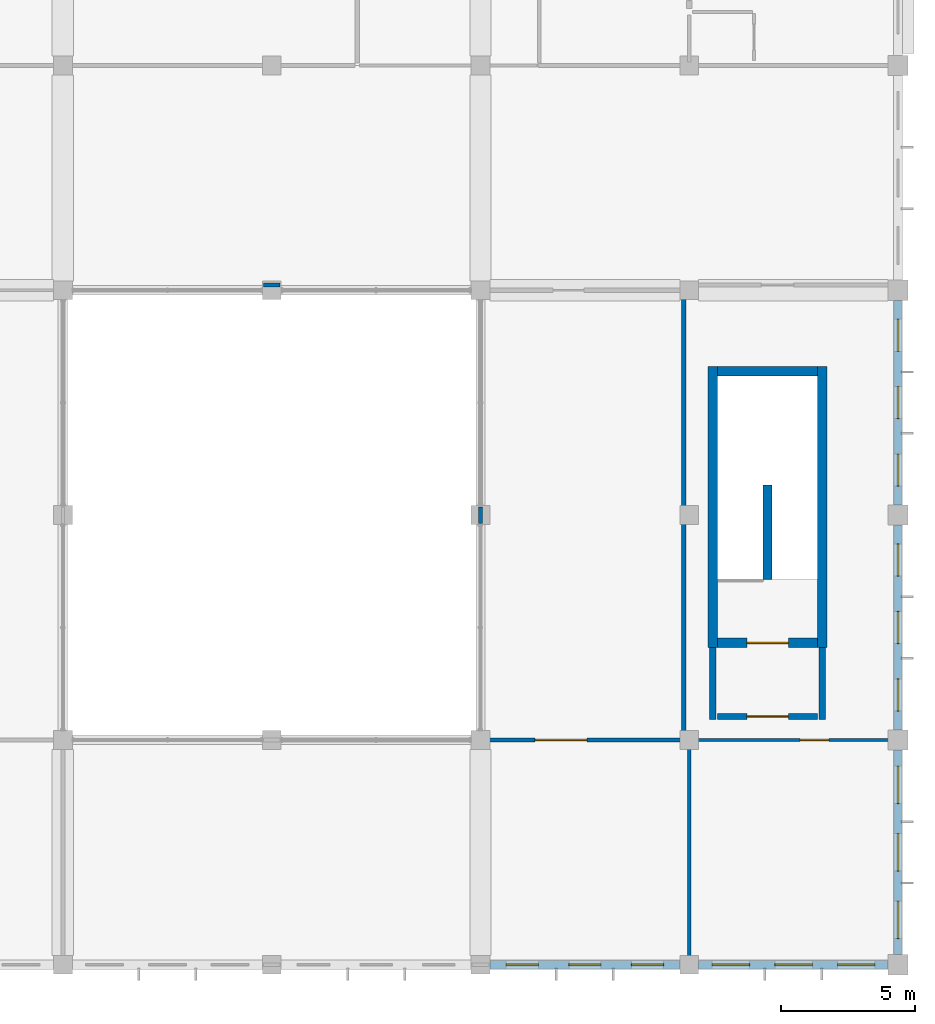
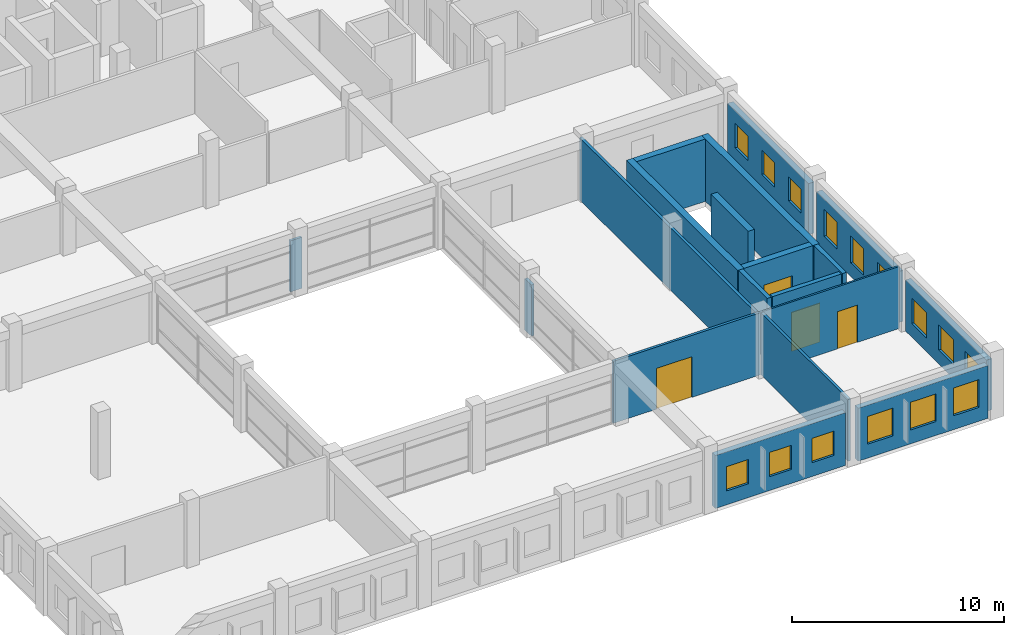
# One storey, part 52 of 72: 19 walls, 15 windows, 4 doors, 19 openings.
"""IFC4 building model written with IfcOpenShell, lengths in metres."""

from ifc_helpers import new_model, si_unit, direction, frame, frame_2d, origin, place, context, subcontext, project, spatial, rectangle, extrude, material, layer, layer_set, type_object, element, fill, save


model = new_model("IFC4")

# Units and contexts
model_context = context("Model", 3, precision=1e-05, world=origin(), true_north=direction((0.0, 1.0)))
body_context = subcontext(model_context, "Body", "Model", "MODEL_VIEW")
ifc_project = project(units=[si_unit("LENGTHUNIT", "METRE"), si_unit("AREAUNIT", "SQUARE_METRE"), si_unit("VOLUMEUNIT", "CUBIC_METRE"), si_unit("PLANEANGLEUNIT", "RADIAN"), si_unit("MASSUNIT", "GRAM", prefix="KILO"), si_unit("THERMODYNAMICTEMPERATUREUNIT", "KELVIN"), si_unit("POWERUNIT", "WATT")], contexts=[model_context])

# Site, building, storey
site_placement = place(None, origin())
site = spatial("IfcSite", under=ifc_project, at=site_placement, CompositionType="ELEMENT")
building_placement = place(site_placement, origin())
building = spatial("IfcBuilding", under=site, at=building_placement, Name="Srebrne Nadtorze General Hospital", CompositionType="ELEMENT")
storey_placement = place(building_placement, frame((0.0, 0.0, 22.199951171875)))
storey = spatial("IfcBuildingStorey", under=building, at=storey_placement, Name="L05", CompositionType="ELEMENT", Elevation=22.199951171875)

# Wall, opening, door
ifc_material_1 = material(Name="Gypsum Healthcare Partition")
ifc_layer_1 = layer(ifc_material_1, 0.139892578125)
ifc_layer_set_1 = layer_set([ifc_layer_1], Name="Gypsum Healthcare Partition")
wall_type_1 = type_object("IfcWallType", Name="Clinical partition 140", PredefinedType="PARTITIONING", material=ifc_layer_set_1)
wall_1_placement = place(storey_placement, frame((132.2900390625, 8.39990234375, 0.0), z_axis=(0.0, 0.0, 1.0), x_axis=(1.0, 0.0, 0.0)))
wall_1 = element("IfcWall", 1, at=wall_1_placement, inside=storey, type_object=wall_type_1, Name="Outpatient Gastroenterology Clinic wall WL-INT-L05-2160", PredefinedType="PARTITIONING", context=body_context, shape_type="SweptSolid", body=[
    extrude(rectangle(XDim=8.02490234375, YDim=0.139892578125, at=frame_2d((4.012451171875, 0.0))), origin(), (0.0, 0.0, 1.0), 3.580078125),
])
opening_1_placement = place(wall_1_placement, frame((2.340576171875, 0.0, 0.0)))
opening_1 = element("IfcOpeningElement", 2, at=opening_1_placement, cuts=wall_1, Name="Opening D-L05-0463", PredefinedType="OPENING", context=body_context, shape_type="SweptSolid", body=[
    extrude(rectangle(XDim=1.949951171875, YDim=2.35009765625, at=frame_2d((0.97509765625, 1.175048828125))), frame((0.0, 0.08203125, 0.0), z_axis=(0.0, -1.0, 0.0), x_axis=(1.0, 0.0, 0.0)), (0.0, 0.0, 1.0), 0.163818359375),
])
ifc_material_2 = material(Name="Anodised Aluminium", Category="aluminium")
door_type_1 = type_object("IfcDoorType", Name="Double leaf door 1950x2350", OperationType="DOUBLE_DOOR_SINGLE_SWING", PredefinedType="DOOR", material=ifc_material_2)
door_1_placement = place(opening_1_placement, frame((1.949951171875, 0.0, 0.0), z_axis=(0.0, 0.0, 1.0), x_axis=(-1.0, 0.0, 0.0)))
door_1 = element("IfcDoor", 3, at=door_1_placement, inside=storey, type_object=door_type_1, Name="Outpatient Gastroenterology Clinic door D-L05-0463", OperationType="DOUBLE_DOOR_SINGLE_SWING", OverallHeight=2.35009765625, OverallWidth=1.949951171875, PredefinedType="DOOR", context=body_context, shape_type="SweptSolid", body=[
    extrude(rectangle(XDim=1.949951171875, YDim=2.35009765625, at=frame_2d((0.97509765625, 1.175048828125))), frame((0.0, 0.02490234375, 0.0), z_axis=(0.0, -1.0, 0.0), x_axis=(1.0, 0.0, 0.0)), (0.0, 0.0, 1.0), 0.050048828125),
])
fill(opening_1, door_1)

# Walls
wall_2_placement = place(storey_placement, frame((140.39990234375, 0.0849609375, 0.0), z_axis=(0.0, 0.0, 1.0), x_axis=(0.0, 1.0, 0.0)))
element("IfcWall", 4, at=wall_2_placement, inside=storey, type_object=wall_type_1, Name="Outpatient Gastroenterology Clinic wall WL-INT-L05-2163", PredefinedType="PARTITIONING", context=body_context, shape_type="SweptSolid", body=[
    extrude(rectangle(XDim=8.22998046875, YDim=0.139892578125, at=frame_2d((4.114990234375, 0.0))), origin(), (0.0, 0.0, 1.0), 3.580078125),
])
wall_3_placement = place(storey_placement, frame((124.489990234375, 25.39990234375, 0.0), z_axis=(0.0, 0.0, 1.0), x_axis=(1.0, 0.0, 0.0)))
element("IfcWall", 5, at=wall_3_placement, inside=storey, type_object=wall_type_1, Name="Outpatient Gastroenterology Procedure Unit wall WL-INT-L05-2170", PredefinedType="PARTITIONING", context=body_context, shape_type="SweptSolid", body=[
    extrude(rectangle(XDim=0.6201171875, YDim=0.139892578125, at=frame_2d((0.31005859375, 0.0))), origin(), (0.0, 0.0, 1.0), 2.949951171875),
])
ifc_material_3 = material(Name="Gypsum Healthcare Partition")
ifc_layer_2 = layer(ifc_material_3, 0.159912109375)
ifc_layer_set_2 = layer_set([ifc_layer_2], Name="Gypsum Healthcare Partition")
wall_type_2 = type_object("IfcWallType", Name="Clinical partition 160", PredefinedType="PARTITIONING", material=ifc_layer_set_2)
wall_4_placement = place(storey_placement, frame((132.60009765625, 16.489990234375, 0.0), z_axis=(0.0, 0.0, 1.0), x_axis=(0.0, 1.0, 0.0)))
element("IfcWall", 6, at=wall_4_placement, inside=storey, type_object=wall_type_2, Name="Outpatient Pain Management Clinic wall WL-INT-L05-2168", PredefinedType="PARTITIONING", context=body_context, shape_type="SweptSolid", body=[
    extrude(rectangle(XDim=0.6201171875, YDim=0.159912109375, at=frame_2d((0.31005859375, 0.0))), origin(), (0.0, 0.0, 1.0), 2.949951171875),
])
wall_5_placement = place(storey_placement, frame((140.199951171875, 8.485107421875, 0.0), z_axis=(0.0, 0.0, 1.0), x_axis=(0.0, 1.0, 0.0)))
element("IfcWall", 7, at=wall_5_placement, inside=storey, type_object=wall_type_2, Name="Outpatient Pain Management Clinic wall WL-INT-L05-2169", PredefinedType="PARTITIONING", context=body_context, shape_type="SweptSolid", body=[
    extrude(rectangle(XDim=16.6298828125, YDim=0.159912109375, at=frame_2d((8.31494140625, 0.0))), origin(), (0.0, 0.0, 1.0), 3.580078125),
])
ifc_material_4 = material(Name="Gypsum Healthcare Partition")
ifc_layer_3 = layer(ifc_material_4, 0.239990234375)
ifc_layer_set_3 = layer_set([ifc_layer_3], Name="Gypsum Healthcare Partition")
wall_type_3 = type_object("IfcWallType", Name="Corridor fire wall 240", PredefinedType="STANDARD", material=ifc_layer_set_3)
for number, where, z_axis, x_axis, name in (
    (8, (141.27490234375, 9.155029296875, 0.0), (0.0, 0.0, 1.0), (0.0, 1.0, 0.0), "Fire lobby wall ST-08 WL-INT-L05-0373"),
    (9, (145.375, 9.155029296875, 0.0), (0.0, 0.0, 1.0), (0.0, 1.0, 0.0), "Fire lobby wall ST-08 WL-INT-L05-0374"),
):
    element("IfcWall", number, at=place(storey_placement, frame(where, z_axis=z_axis, x_axis=x_axis)), inside=storey, type_object=wall_type_3, Name=name, PredefinedType="STANDARD", context=body_context, shape_type="SweptSolid", body=[
        extrude(rectangle(XDim=2.695068359375, YDim=0.239990234375, at=frame_2d((1.34765625, 0.0))), origin(), (0.0, 0.0, 1.0), 3.60009765625),
    ])

# Wall, opening, door
wall_6_placement = place(storey_placement, frame((141.449951171875, 9.27490234375, 0.0), z_axis=(0.0, 0.0, 1.0), x_axis=(1.0, 0.0, 0.0)))
wall_6 = element("IfcWall", 10, at=wall_6_placement, inside=storey, type_object=wall_type_3, Name="Fire lobby entry wall ST-08 WL-INT-L05-0375", PredefinedType="STANDARD", context=body_context, shape_type="SweptSolid", body=[
    extrude(rectangle(XDim=3.75, YDim=0.239990234375, at=frame_2d((1.875, 0.0))), origin(), (0.0, 0.0, 1.0), 3.60009765625),
])
opening_2_placement = place(wall_6_placement, frame((1.10009765625, 0.0, 0.0)))
opening_2 = element("IfcOpeningElement", 11, at=opening_2_placement, cuts=wall_6, Name="Opening D-L05-0094", PredefinedType="OPENING", context=body_context, shape_type="SweptSolid", body=[
    extrude(rectangle(XDim=1.550048828125, YDim=2.25, at=frame_2d((0.77490234375, 1.125))), frame((0.0, 0.1318359375, 0.0), z_axis=(0.0, -1.0, 0.0), x_axis=(1.0, 0.0, 0.0)), (0.0, 0.0, 1.0), 0.263916015625),
])
ifc_material_5 = material(Name="Anodised Aluminium", Category="aluminium")
door_type_2 = type_object("IfcDoorType", Name="Double leaf door 1550x2250", OperationType="DOUBLE_DOOR_SINGLE_SWING", PredefinedType="DOOR", material=ifc_material_5)
door_2_placement = place(opening_2_placement, origin())
door_2 = element("IfcDoor", 12, at=door_2_placement, inside=storey, type_object=door_type_2, Name="Fire lobby door ST-08 D-L05-0094", OperationType="DOUBLE_DOOR_SINGLE_SWING", OverallHeight=2.25, OverallWidth=1.550048828125, PredefinedType="DOOR", context=body_context, shape_type="SweptSolid", body=[
    extrude(rectangle(XDim=1.550048828125, YDim=2.25, at=frame_2d((0.77490234375, 1.125))), frame((0.0, 0.02490234375, 0.0), z_axis=(0.0, -1.0, 0.0), x_axis=(1.0, 0.0, 0.0)), (0.0, 0.0, 1.0), 0.050048828125),
])
fill(opening_2, door_2)

# Wall, openings, windows
ifc_material_6 = material(Name="Concrete C40/50 precast", Category="concrete")
ifc_layer_4 = layer(ifc_material_6, 0.300048828125)
ifc_layer_set_4 = layer_set([ifc_layer_4], Name="Concrete C40/50 precast")
wall_type_4 = type_object("IfcWallType", Name="Limestone precast wall 300", PredefinedType="STANDARD", material=ifc_layer_set_4)
wall_7_placement = place(storey_placement, frame((132.949951171875, 0.0, 0.0), z_axis=(0.0, 0.0, 1.0), x_axis=(1.0, 0.0, 0.0)))
wall_7 = element("IfcWall", 13, at=wall_7_placement, inside=storey, type_object=wall_type_4, Name="Exterior wall WL-ENV-L05-0408", PredefinedType="STANDARD", context=body_context, shape_type="SweptSolid", body=[
    extrude(rectangle(XDim=7.10009765625, YDim=0.300048828125, at=frame_2d((3.550048828125, 0.0))), origin(), (0.0, 0.0, 1.0), 3.050048828125),
])
opening_3_placement = place(wall_7_placement, frame((0.610107421875, 0.0, 0.800048828125)))
opening_3 = element("IfcOpeningElement", 14, at=opening_3_placement, cuts=wall_7, Name="Opening WN-L05-0645", PredefinedType="OPENING", context=body_context, shape_type="SweptSolid", body=[
    extrude(rectangle(XDim=1.199951171875, YDim=1.39990234375, at=frame_2d((0.60009765625, 0.699951171875))), frame((0.0, 0.162109375, 0.0), z_axis=(0.0, -1.0, 0.0), x_axis=(1.0, 0.0, 0.0)), (0.0, 0.0, 1.0), 0.323974609375),
])
opening_4_placement = place(wall_7_placement, frame((2.949951171875, 0.0, 0.800048828125)))
opening_4 = element("IfcOpeningElement", 15, at=opening_4_placement, cuts=wall_7, Name="Opening WN-L05-0646", PredefinedType="OPENING", context=body_context, shape_type="SweptSolid", body=[
    extrude(rectangle(XDim=1.199951171875, YDim=1.39990234375, at=frame_2d((0.60009765625, 0.699951171875))), frame((0.0, 0.162109375, 0.0), z_axis=(0.0, -1.0, 0.0), x_axis=(1.0, 0.0, 0.0)), (0.0, 0.0, 1.0), 0.323974609375),
])
opening_5_placement = place(wall_7_placement, frame((5.2900390625, 0.0, 0.800048828125)))
opening_5 = element("IfcOpeningElement", 16, at=opening_5_placement, cuts=wall_7, Name="Opening WN-L05-0647", PredefinedType="OPENING", context=body_context, shape_type="SweptSolid", body=[
    extrude(rectangle(XDim=1.199951171875, YDim=1.39990234375, at=frame_2d((0.60009765625, 0.699951171875))), frame((0.0, 0.162109375, 0.0), z_axis=(0.0, -1.0, 0.0), x_axis=(1.0, 0.0, 0.0)), (0.0, 0.0, 1.0), 0.323974609375),
])
ifc_material_7 = material(Name="Triple Low-E Glazing", Category="glass")
window_type_1 = type_object("IfcWindowType", Name="Punched clinical window 1200x1400", PartitioningType="SINGLE_PANEL", PredefinedType="WINDOW", material=ifc_material_7)
window_1_placement = place(opening_3_placement, origin())
window_1 = element("IfcWindow", 17, at=window_1_placement, inside=storey, type_object=window_type_1, Name="Clinical window WN-L05-0645", OverallHeight=1.39990234375, OverallWidth=1.199951171875, PartitioningType="SINGLE_PANEL", PredefinedType="WINDOW", context=body_context, shape_type="SweptSolid", body=[
    extrude(rectangle(XDim=1.199951171875, YDim=1.39990234375, at=frame_2d((0.60009765625, 0.699951171875))), frame((0.0, 0.030029296875, 0.0), z_axis=(0.0, -1.0, 0.0), x_axis=(1.0, 0.0, 0.0)), (0.0, 0.0, 1.0), 0.06005859375),
])
fill(opening_3, window_1)
window_2_placement = place(opening_4_placement, origin())
window_2 = element("IfcWindow", 18, at=window_2_placement, inside=storey, type_object=window_type_1, Name="Clinical window WN-L05-0646", OverallHeight=1.39990234375, OverallWidth=1.199951171875, PartitioningType="SINGLE_PANEL", PredefinedType="WINDOW", context=body_context, shape_type="SweptSolid", body=[
    extrude(rectangle(XDim=1.199951171875, YDim=1.39990234375, at=frame_2d((0.60009765625, 0.699951171875))), frame((0.0, 0.030029296875, 0.0), z_axis=(0.0, -1.0, 0.0), x_axis=(1.0, 0.0, 0.0)), (0.0, 0.0, 1.0), 0.06005859375),
])
fill(opening_4, window_2)
window_3_placement = place(opening_5_placement, origin())
window_3 = element("IfcWindow", 19, at=window_3_placement, inside=storey, type_object=window_type_1, Name="Clinical window WN-L05-0647", OverallHeight=1.39990234375, OverallWidth=1.199951171875, PartitioningType="SINGLE_PANEL", PredefinedType="WINDOW", context=body_context, shape_type="SweptSolid", body=[
    extrude(rectangle(XDim=1.199951171875, YDim=1.39990234375, at=frame_2d((0.60009765625, 0.699951171875))), frame((0.0, 0.030029296875, 0.0), z_axis=(0.0, -1.0, 0.0), x_axis=(1.0, 0.0, 0.0)), (0.0, 0.0, 1.0), 0.06005859375),
])
fill(opening_5, window_3)

wall_8_placement = place(storey_placement, frame((140.75, 0.0, 0.0), z_axis=(0.0, 0.0, 1.0), x_axis=(1.0, 0.0, 0.0)))
wall_8 = element("IfcWall", 20, at=wall_8_placement, inside=storey, type_object=wall_type_4, Name="Exterior wall WL-ENV-L05-0409", PredefinedType="STANDARD", context=body_context, shape_type="SweptSolid", body=[
    extrude(rectangle(XDim=7.074951171875, YDim=0.300048828125, at=frame_2d((3.53759765625, 0.0))), origin(), (0.0, 0.0, 1.0), 3.050048828125),
])
opening_6_placement = place(wall_8_placement, frame((0.510009765625, 0.0, 0.800048828125)))
opening_6 = element("IfcOpeningElement", 21, at=opening_6_placement, cuts=wall_8, Name="Opening WN-L05-0648", PredefinedType="OPENING", context=body_context, shape_type="SweptSolid", body=[
    extrude(rectangle(XDim=1.39990234375, YDim=1.60009765625, at=frame_2d((0.699951171875, 0.800048828125))), frame((0.0, 0.162109375, 0.0), z_axis=(0.0, -1.0, 0.0), x_axis=(1.0, 0.0, 0.0)), (0.0, 0.0, 1.0), 0.323974609375),
])
opening_7_placement = place(wall_8_placement, frame((2.85009765625, 0.0, 0.800048828125)))
opening_7 = element("IfcOpeningElement", 22, at=opening_7_placement, cuts=wall_8, Name="Opening WN-L05-0649", PredefinedType="OPENING", context=body_context, shape_type="SweptSolid", body=[
    extrude(rectangle(XDim=1.39990234375, YDim=1.60009765625, at=frame_2d((0.699951171875, 0.800048828125))), frame((0.0, 0.162109375, 0.0), z_axis=(0.0, -1.0, 0.0), x_axis=(1.0, 0.0, 0.0)), (0.0, 0.0, 1.0), 0.323974609375),
])
opening_8_placement = place(wall_8_placement, frame((5.18994140625, 0.0, 0.800048828125)))
opening_8 = element("IfcOpeningElement", 23, at=opening_8_placement, cuts=wall_8, Name="Opening WN-L05-0650", PredefinedType="OPENING", context=body_context, shape_type="SweptSolid", body=[
    extrude(rectangle(XDim=1.39990234375, YDim=1.60009765625, at=frame_2d((0.699951171875, 0.800048828125))), frame((0.0, 0.162109375, 0.0), z_axis=(0.0, -1.0, 0.0), x_axis=(1.0, 0.0, 0.0)), (0.0, 0.0, 1.0), 0.323974609375),
])
ifc_material_8 = material(Name="Triple Low-E Glazing", Category="glass")
window_type_2 = type_object("IfcWindowType", Name="Punched clinical window 1400x1600", PartitioningType="SINGLE_PANEL", PredefinedType="WINDOW", material=ifc_material_8)
window_4_placement = place(opening_6_placement, origin())
window_4 = element("IfcWindow", 24, at=window_4_placement, inside=storey, type_object=window_type_2, Name="Clinical window WN-L05-0648", OverallHeight=1.60009765625, OverallWidth=1.39990234375, PartitioningType="SINGLE_PANEL", PredefinedType="WINDOW", context=body_context, shape_type="SweptSolid", body=[
    extrude(rectangle(XDim=1.39990234375, YDim=1.60009765625, at=frame_2d((0.699951171875, 0.800048828125))), frame((0.0, 0.030029296875, 0.0), z_axis=(0.0, -1.0, 0.0), x_axis=(1.0, 0.0, 0.0)), (0.0, 0.0, 1.0), 0.06005859375),
])
fill(opening_6, window_4)
window_5_placement = place(opening_7_placement, origin())
window_5 = element("IfcWindow", 25, at=window_5_placement, inside=storey, type_object=window_type_2, Name="Clinical window WN-L05-0649", OverallHeight=1.60009765625, OverallWidth=1.39990234375, PartitioningType="SINGLE_PANEL", PredefinedType="WINDOW", context=body_context, shape_type="SweptSolid", body=[
    extrude(rectangle(XDim=1.39990234375, YDim=1.60009765625, at=frame_2d((0.699951171875, 0.800048828125))), frame((0.0, 0.030029296875, 0.0), z_axis=(0.0, -1.0, 0.0), x_axis=(1.0, 0.0, 0.0)), (0.0, 0.0, 1.0), 0.06005859375),
])
fill(opening_7, window_5)
window_6_placement = place(opening_8_placement, origin())
window_6 = element("IfcWindow", 26, at=window_6_placement, inside=storey, type_object=window_type_2, Name="Clinical window WN-L05-0650", OverallHeight=1.60009765625, OverallWidth=1.39990234375, PartitioningType="SINGLE_PANEL", PredefinedType="WINDOW", context=body_context, shape_type="SweptSolid", body=[
    extrude(rectangle(XDim=1.39990234375, YDim=1.60009765625, at=frame_2d((0.699951171875, 0.800048828125))), frame((0.0, 0.030029296875, 0.0), z_axis=(0.0, -1.0, 0.0), x_axis=(1.0, 0.0, 0.0)), (0.0, 0.0, 1.0), 0.06005859375),
])
fill(opening_8, window_6)

wall_9_placement = place(storey_placement, frame((148.199951171875, 0.375, 0.0), z_axis=(0.0, 0.0, 1.0), x_axis=(0.0, 1.0, 0.0)))
wall_9 = element("IfcWall", 27, at=wall_9_placement, inside=storey, type_object=wall_type_4, Name="Exterior wall WL-ENV-L05-0449", PredefinedType="STANDARD", context=body_context, shape_type="SweptSolid", body=[
    extrude(rectangle(XDim=7.64990234375, YDim=0.300048828125, at=frame_2d((3.824951171875, 0.0))), origin(), (0.0, 0.0, 1.0), 2.949951171875),
])
opening_9_placement = place(wall_9_placement, frame((0.60498046875, 0.0, 0.800048828125)))
opening_9 = element("IfcOpeningElement", 28, at=opening_9_placement, cuts=wall_9, Name="Opening WN-L05-0729", PredefinedType="OPENING", context=body_context, shape_type="SweptSolid", body=[
    extrude(rectangle(XDim=1.39990234375, YDim=1.449951171875, at=frame_2d((0.699951171875, 0.72509765625))), frame((0.0, 0.162109375, 0.0), z_axis=(0.0, -1.0, 0.0), x_axis=(1.0, 0.0, 0.0)), (0.0, 0.0, 1.0), 0.323974609375),
])
opening_10_placement = place(wall_9_placement, frame((3.125, 0.0, 0.800048828125)))
opening_10 = element("IfcOpeningElement", 29, at=opening_10_placement, cuts=wall_9, Name="Opening WN-L05-0730", PredefinedType="OPENING", context=body_context, shape_type="SweptSolid", body=[
    extrude(rectangle(XDim=1.39990234375, YDim=1.449951171875, at=frame_2d((0.699951171875, 0.72509765625))), frame((0.0, 0.162109375, 0.0), z_axis=(0.0, -1.0, 0.0), x_axis=(1.0, 0.0, 0.0)), (0.0, 0.0, 1.0), 0.323974609375),
])
opening_11_placement = place(wall_9_placement, frame((5.64501953125, 0.0, 0.800048828125)))
opening_11 = element("IfcOpeningElement", 30, at=opening_11_placement, cuts=wall_9, Name="Opening WN-L05-0731", PredefinedType="OPENING", context=body_context, shape_type="SweptSolid", body=[
    extrude(rectangle(XDim=1.39990234375, YDim=1.449951171875, at=frame_2d((0.699951171875, 0.72509765625))), frame((0.0, 0.162109375, 0.0), z_axis=(0.0, -1.0, 0.0), x_axis=(1.0, 0.0, 0.0)), (0.0, 0.0, 1.0), 0.323974609375),
])
ifc_material_9 = material(Name="Triple Low-E Glazing", Category="glass")
window_type_3 = type_object("IfcWindowType", Name="Punched clinical window 1400x1450", PartitioningType="SINGLE_PANEL", PredefinedType="WINDOW", material=ifc_material_9)
window_7_placement = place(opening_9_placement, origin())
window_7 = element("IfcWindow", 31, at=window_7_placement, inside=storey, type_object=window_type_3, Name="Clinical window WN-L05-0729", OverallHeight=1.449951171875, OverallWidth=1.39990234375, PartitioningType="SINGLE_PANEL", PredefinedType="WINDOW", context=body_context, shape_type="SweptSolid", body=[
    extrude(rectangle(XDim=1.39990234375, YDim=1.449951171875, at=frame_2d((0.699951171875, 0.72509765625))), frame((0.0, 0.030029296875, 0.0), z_axis=(0.0, -1.0, 0.0), x_axis=(1.0, 0.0, 0.0)), (0.0, 0.0, 1.0), 0.06005859375),
])
fill(opening_9, window_7)
window_8_placement = place(opening_10_placement, origin())
window_8 = element("IfcWindow", 32, at=window_8_placement, inside=storey, type_object=window_type_3, Name="Clinical window WN-L05-0730", OverallHeight=1.449951171875, OverallWidth=1.39990234375, PartitioningType="SINGLE_PANEL", PredefinedType="WINDOW", context=body_context, shape_type="SweptSolid", body=[
    extrude(rectangle(XDim=1.39990234375, YDim=1.449951171875, at=frame_2d((0.699951171875, 0.72509765625))), frame((0.0, 0.030029296875, 0.0), z_axis=(0.0, -1.0, 0.0), x_axis=(1.0, 0.0, 0.0)), (0.0, 0.0, 1.0), 0.06005859375),
])
fill(opening_10, window_8)
window_9_placement = place(opening_11_placement, origin())
window_9 = element("IfcWindow", 33, at=window_9_placement, inside=storey, type_object=window_type_3, Name="Clinical window WN-L05-0731", OverallHeight=1.449951171875, OverallWidth=1.39990234375, PartitioningType="SINGLE_PANEL", PredefinedType="WINDOW", context=body_context, shape_type="SweptSolid", body=[
    extrude(rectangle(XDim=1.39990234375, YDim=1.449951171875, at=frame_2d((0.699951171875, 0.72509765625))), frame((0.0, 0.030029296875, 0.0), z_axis=(0.0, -1.0, 0.0), x_axis=(1.0, 0.0, 0.0)), (0.0, 0.0, 1.0), 0.06005859375),
])
fill(opening_11, window_9)

wall_10_placement = place(storey_placement, frame((148.199951171875, 8.77490234375, 0.0), z_axis=(0.0, 0.0, 1.0), x_axis=(0.0, 1.0, 0.0)))
wall_10 = element("IfcWall", 34, at=wall_10_placement, inside=storey, type_object=wall_type_4, Name="Exterior wall WL-ENV-L05-0450", PredefinedType="STANDARD", context=body_context, shape_type="SweptSolid", body=[
    extrude(rectangle(XDim=7.650146484375, YDim=0.300048828125, at=frame_2d((3.8251953125, 0.0))), origin(), (0.0, 0.0, 1.0), 2.949951171875),
])
opening_12_placement = place(wall_10_placement, frame((0.705078125, 0.0, 0.800048828125)))
opening_12 = element("IfcOpeningElement", 35, at=opening_12_placement, cuts=wall_10, Name="Opening WN-L05-0732", PredefinedType="OPENING", context=body_context, shape_type="SweptSolid", body=[
    extrude(rectangle(XDim=1.199951171875, YDim=1.550048828125, at=frame_2d((0.60009765625, 0.77490234375))), frame((0.0, 0.162109375, 0.0), z_axis=(0.0, -1.0, 0.0), x_axis=(1.0, 0.0, 0.0)), (0.0, 0.0, 1.0), 0.323974609375),
])
opening_13_placement = place(wall_10_placement, frame((3.22509765625, 0.0, 0.800048828125)))
opening_13 = element("IfcOpeningElement", 36, at=opening_13_placement, cuts=wall_10, Name="Opening WN-L05-0733", PredefinedType="OPENING", context=body_context, shape_type="SweptSolid", body=[
    extrude(rectangle(XDim=1.199951171875, YDim=1.550048828125, at=frame_2d((0.60009765625, 0.77490234375))), frame((0.0, 0.162109375, 0.0), z_axis=(0.0, -1.0, 0.0), x_axis=(1.0, 0.0, 0.0)), (0.0, 0.0, 1.0), 0.323974609375),
])
opening_14_placement = place(wall_10_placement, frame((5.7451171875, 0.0, 0.800048828125)))
opening_14 = element("IfcOpeningElement", 37, at=opening_14_placement, cuts=wall_10, Name="Opening WN-L05-0734", PredefinedType="OPENING", context=body_context, shape_type="SweptSolid", body=[
    extrude(rectangle(XDim=1.199951171875, YDim=1.550048828125, at=frame_2d((0.60009765625, 0.77490234375))), frame((0.0, 0.162109375, 0.0), z_axis=(0.0, -1.0, 0.0), x_axis=(1.0, 0.0, 0.0)), (0.0, 0.0, 1.0), 0.323974609375),
])
ifc_material_10 = material(Name="Triple Low-E Glazing", Category="glass")
window_type_4 = type_object("IfcWindowType", Name="Punched clinical window 1200x1550", PartitioningType="SINGLE_PANEL", PredefinedType="WINDOW", material=ifc_material_10)
window_10_placement = place(opening_12_placement, origin())
window_10 = element("IfcWindow", 38, at=window_10_placement, inside=storey, type_object=window_type_4, Name="Clinical window WN-L05-0732", OverallHeight=1.550048828125, OverallWidth=1.199951171875, PartitioningType="SINGLE_PANEL", PredefinedType="WINDOW", context=body_context, shape_type="SweptSolid", body=[
    extrude(rectangle(XDim=1.199951171875, YDim=1.550048828125, at=frame_2d((0.60009765625, 0.77490234375))), frame((0.0, 0.030029296875, 0.0), z_axis=(0.0, -1.0, 0.0), x_axis=(1.0, 0.0, 0.0)), (0.0, 0.0, 1.0), 0.06005859375),
])
fill(opening_12, window_10)
window_11_placement = place(opening_13_placement, origin())
window_11 = element("IfcWindow", 39, at=window_11_placement, inside=storey, type_object=window_type_4, Name="Clinical window WN-L05-0733", OverallHeight=1.550048828125, OverallWidth=1.199951171875, PartitioningType="SINGLE_PANEL", PredefinedType="WINDOW", context=body_context, shape_type="SweptSolid", body=[
    extrude(rectangle(XDim=1.199951171875, YDim=1.550048828125, at=frame_2d((0.60009765625, 0.77490234375))), frame((0.0, 0.030029296875, 0.0), z_axis=(0.0, -1.0, 0.0), x_axis=(1.0, 0.0, 0.0)), (0.0, 0.0, 1.0), 0.06005859375),
])
fill(opening_13, window_11)
window_12_placement = place(opening_14_placement, origin())
window_12 = element("IfcWindow", 40, at=window_12_placement, inside=storey, type_object=window_type_4, Name="Clinical window WN-L05-0734", OverallHeight=1.550048828125, OverallWidth=1.199951171875, PartitioningType="SINGLE_PANEL", PredefinedType="WINDOW", context=body_context, shape_type="SweptSolid", body=[
    extrude(rectangle(XDim=1.199951171875, YDim=1.550048828125, at=frame_2d((0.60009765625, 0.77490234375))), frame((0.0, 0.030029296875, 0.0), z_axis=(0.0, -1.0, 0.0), x_axis=(1.0, 0.0, 0.0)), (0.0, 0.0, 1.0), 0.06005859375),
])
fill(opening_14, window_12)

wall_11_placement = place(storey_placement, frame((148.199951171875, 17.175048828125, 0.0), z_axis=(0.0, 0.0, 1.0), x_axis=(0.0, 1.0, 0.0)))
wall_11 = element("IfcWall", 41, at=wall_11_placement, inside=storey, type_object=wall_type_4, Name="Exterior wall WL-ENV-L05-0451", PredefinedType="STANDARD", context=body_context, shape_type="SweptSolid", body=[
    extrude(rectangle(XDim=7.64990234375, YDim=0.300048828125, at=frame_2d((3.824951171875, 0.0))), origin(), (0.0, 0.0, 1.0), 2.949951171875),
])
opening_15_placement = place(wall_11_placement, frame((0.705078125, 0.0, 0.800048828125)))
opening_15 = element("IfcOpeningElement", 42, at=opening_15_placement, cuts=wall_11, Name="Opening WN-L05-0735", PredefinedType="OPENING", context=body_context, shape_type="SweptSolid", body=[
    extrude(rectangle(XDim=1.199951171875, YDim=1.39990234375, at=frame_2d((0.60009765625, 0.699951171875))), frame((0.0, 0.162109375, 0.0), z_axis=(0.0, -1.0, 0.0), x_axis=(1.0, 0.0, 0.0)), (0.0, 0.0, 1.0), 0.323974609375),
])
opening_16_placement = place(wall_11_placement, frame((3.22509765625, 0.0, 0.800048828125)))
opening_16 = element("IfcOpeningElement", 43, at=opening_16_placement, cuts=wall_11, Name="Opening WN-L05-0736", PredefinedType="OPENING", context=body_context, shape_type="SweptSolid", body=[
    extrude(rectangle(XDim=1.199951171875, YDim=1.39990234375, at=frame_2d((0.60009765625, 0.699951171875))), frame((0.0, 0.162109375, 0.0), z_axis=(0.0, -1.0, 0.0), x_axis=(1.0, 0.0, 0.0)), (0.0, 0.0, 1.0), 0.323974609375),
])
opening_17_placement = place(wall_11_placement, frame((5.7451171875, 0.0, 0.800048828125)))
opening_17 = element("IfcOpeningElement", 44, at=opening_17_placement, cuts=wall_11, Name="Opening WN-L05-0737", PredefinedType="OPENING", context=body_context, shape_type="SweptSolid", body=[
    extrude(rectangle(XDim=1.199951171875, YDim=1.39990234375, at=frame_2d((0.60009765625, 0.699951171875))), frame((0.0, 0.162109375, 0.0), z_axis=(0.0, -1.0, 0.0), x_axis=(1.0, 0.0, 0.0)), (0.0, 0.0, 1.0), 0.323974609375),
])
window_13_placement = place(opening_15_placement, origin())
window_13 = element("IfcWindow", 45, at=window_13_placement, inside=storey, type_object=window_type_1, Name="Clinical window WN-L05-0735", OverallHeight=1.39990234375, OverallWidth=1.199951171875, PartitioningType="SINGLE_PANEL", PredefinedType="WINDOW", context=body_context, shape_type="SweptSolid", body=[
    extrude(rectangle(XDim=1.199951171875, YDim=1.39990234375, at=frame_2d((0.60009765625, 0.699951171875))), frame((0.0, 0.030029296875, 0.0), z_axis=(0.0, -1.0, 0.0), x_axis=(1.0, 0.0, 0.0)), (0.0, 0.0, 1.0), 0.06005859375),
])
fill(opening_15, window_13)
window_14_placement = place(opening_16_placement, origin())
window_14 = element("IfcWindow", 46, at=window_14_placement, inside=storey, type_object=window_type_1, Name="Clinical window WN-L05-0736", OverallHeight=1.39990234375, OverallWidth=1.199951171875, PartitioningType="SINGLE_PANEL", PredefinedType="WINDOW", context=body_context, shape_type="SweptSolid", body=[
    extrude(rectangle(XDim=1.199951171875, YDim=1.39990234375, at=frame_2d((0.60009765625, 0.699951171875))), frame((0.0, 0.030029296875, 0.0), z_axis=(0.0, -1.0, 0.0), x_axis=(1.0, 0.0, 0.0)), (0.0, 0.0, 1.0), 0.06005859375),
])
fill(opening_16, window_14)
window_15_placement = place(opening_17_placement, origin())
window_15 = element("IfcWindow", 47, at=window_15_placement, inside=storey, type_object=window_type_1, Name="Clinical window WN-L05-0737", OverallHeight=1.39990234375, OverallWidth=1.199951171875, PartitioningType="SINGLE_PANEL", PredefinedType="WINDOW", context=body_context, shape_type="SweptSolid", body=[
    extrude(rectangle(XDim=1.199951171875, YDim=1.39990234375, at=frame_2d((0.60009765625, 0.699951171875))), frame((0.0, 0.030029296875, 0.0), z_axis=(0.0, -1.0, 0.0), x_axis=(1.0, 0.0, 0.0)), (0.0, 0.0, 1.0), 0.06005859375),
])
fill(opening_17, window_15)

# Wall, opening, door
ifc_material_11 = material(Name="Gypsum Healthcare Partition")
ifc_layer_5 = layer(ifc_material_11, 0.10009765625)
ifc_layer_set_5 = layer_set([ifc_layer_5], Name="Gypsum Healthcare Partition")
wall_type_5 = type_object("IfcWallType", Name="Shaft lining wall 100", PredefinedType="PARTITIONING", material=ifc_layer_set_5)
wall_12_placement = place(storey_placement, frame((140.485107421875, 8.39990234375, 0.0), z_axis=(0.0, 0.0, 1.0), x_axis=(1.0, 0.0, 0.0)))
wall_12 = element("IfcWall", 48, at=wall_12_placement, inside=storey, type_object=wall_type_5, Name="Outpatient Endoscopy Consultation wall WL-INT-L05-2174", PredefinedType="PARTITIONING", context=body_context, shape_type="SweptSolid", body=[
    extrude(rectangle(XDim=7.429931640625, YDim=0.10009765625, at=frame_2d((3.71484375, 0.0))), origin(), (0.0, 0.0, 1.0), 3.580078125),
])
opening_18_placement = place(wall_12_placement, frame((4.0546875, 0.0, 0.0)))
opening_18 = element("IfcOpeningElement", 49, at=opening_18_placement, cuts=wall_12, Name="Opening D-L05-0467", PredefinedType="OPENING", context=body_context, shape_type="SweptSolid", body=[
    extrude(rectangle(XDim=1.080078125, YDim=2.14990234375, at=frame_2d((0.5400390625, 1.074951171875))), frame((0.0, 0.06201171875, 0.0), z_axis=(0.0, -1.0, 0.0), x_axis=(1.0, 0.0, 0.0)), (0.0, 0.0, 1.0), 0.1240234375),
])
ifc_material_12 = material(Name="Anodised Aluminium", Category="aluminium")
door_type_3 = type_object("IfcDoorType", Name="Single leaf door 1080x2150", OperationType="NOTDEFINED", PredefinedType="DOOR", material=ifc_material_12)
door_3_placement = place(opening_18_placement, frame((1.080078125, 0.0, 0.0), z_axis=(0.0, 0.0, 1.0), x_axis=(-1.0, 0.0, 0.0)))
door_3 = element("IfcDoor", 50, at=door_3_placement, inside=storey, type_object=door_type_3, Name="Outpatient Endoscopy Consultation door D-L05-0467", OperationType="SINGLE_SWING_LEFT", OverallHeight=2.14990234375, OverallWidth=1.080078125, PredefinedType="DOOR", context=body_context, shape_type="SweptSolid", body=[
    extrude(rectangle(XDim=1.080078125, YDim=2.14990234375, at=frame_2d((0.5400390625, 1.074951171875))), frame((0.0, 0.02490234375, 0.0), z_axis=(0.0, -1.0, 0.0), x_axis=(1.0, 0.0, 0.0)), (0.0, 0.0, 1.0), 0.050048828125),
])
fill(opening_18, door_3)

# Walls
ifc_material_13 = material(Name="Concrete C40/50", Category="concrete")
ifc_layer_6 = layer(ifc_material_13, 0.35009765625)
ifc_layer_set_6 = layer_set([ifc_layer_6], Name="Concrete C40/50")
wall_type_6 = type_object("IfcWallType", Name="Shear core wall 350", PredefinedType="SHEAR", material=ifc_layer_set_6)
for number, where, z_axis, x_axis, name in (
    (51, (141.27490234375, 11.85009765625, 0.0), (0.0, 0.0, 1.0), (0.0, 1.0, 0.0), "Stair core wall ST-08 WL-INT-L05-0369"),
    (52, (145.375, 11.85009765625, 0.0), (0.0, 0.0, 1.0), (0.0, 1.0, 0.0), "Stair core wall ST-08 WL-INT-L05-0370"),
):
    element("IfcWall", number, at=place(storey_placement, frame(where, z_axis=z_axis, x_axis=x_axis)), inside=storey, type_object=wall_type_6, Name=name, PredefinedType="SHEAR", context=body_context, shape_type="SweptSolid", body=[
        extrude(rectangle(XDim=10.5, YDim=0.35009765625, at=frame_2d((5.25, 0.0))), origin(), (0.0, 0.0, 1.0), 3.60009765625),
    ])
wall_13_placement = place(storey_placement, frame((141.449951171875, 22.175048828125, 0.0), z_axis=(0.0, 0.0, 1.0), x_axis=(1.0, 0.0, 0.0)))
element("IfcWall", 53, at=wall_13_placement, inside=storey, type_object=wall_type_6, Name="Stair core wall ST-08 WL-INT-L05-0371", PredefinedType="SHEAR", context=body_context, shape_type="SweptSolid", body=[
    extrude(rectangle(XDim=3.75, YDim=0.35009765625, at=frame_2d((1.875, 0.0))), origin(), (0.0, 0.0, 1.0), 3.60009765625),
])

# Wall, opening, door
wall_14_placement = place(storey_placement, frame((141.449951171875, 12.02490234375, 0.0), z_axis=(0.0, 0.0, 1.0), x_axis=(1.0, 0.0, 0.0)))
wall_14 = element("IfcWall", 54, at=wall_14_placement, inside=storey, type_object=wall_type_6, Name="Stairwell fire wall ST-08 WL-INT-L05-0372", PredefinedType="SHEAR", context=body_context, shape_type="SweptSolid", body=[
    extrude(rectangle(XDim=3.75, YDim=0.35009765625, at=frame_2d((1.875, 0.0))), origin(), (0.0, 0.0, 1.0), 3.60009765625),
])
opening_19_placement = place(wall_14_placement, frame((1.10009765625, 0.0, 0.0)))
opening_19 = element("IfcOpeningElement", 55, at=opening_19_placement, cuts=wall_14, Name="Opening D-L05-0093", PredefinedType="OPENING", context=body_context, shape_type="SweptSolid", body=[
    extrude(rectangle(XDim=1.550048828125, YDim=2.25, at=frame_2d((0.77490234375, 1.125))), frame((0.0, 0.18701171875, 0.0), z_axis=(0.0, -1.0, 0.0), x_axis=(1.0, 0.0, 0.0)), (0.0, 0.0, 1.0), 0.3740234375),
])
door_4_placement = place(opening_19_placement, origin())
door_4 = element("IfcDoor", 56, at=door_4_placement, inside=storey, type_object=door_type_2, Name="Protected stair door ST-08 D-L05-0093", OperationType="DOUBLE_DOOR_SINGLE_SWING", OverallHeight=2.25, OverallWidth=1.550048828125, PredefinedType="DOOR", context=body_context, shape_type="SweptSolid", body=[
    extrude(rectangle(XDim=1.550048828125, YDim=2.25, at=frame_2d((0.77490234375, 1.125))), frame((0.0, 0.02490234375, 0.0), z_axis=(0.0, -1.0, 0.0), x_axis=(1.0, 0.0, 0.0)), (0.0, 0.0, 1.0), 0.050048828125),
])
fill(opening_19, door_4)

# Wall
wall_15_placement = place(storey_placement, frame((143.324951171875, 14.39990234375, 0.0), z_axis=(0.0, 0.0, 1.0), x_axis=(0.0, 1.0, 0.0)))
element("IfcWall", 57, at=wall_15_placement, inside=storey, type_object=wall_type_6, Name="Stair spine wall ST-08 WL-INT-L05-0376", PredefinedType="SHEAR", context=body_context, shape_type="SweptSolid", body=[
    extrude(rectangle(XDim=3.52001953125, YDim=0.35009765625, at=frame_2d((1.760009765625, 0.0))), origin(), (0.0, 0.0, 1.0), 3.60009765625),
])

save(model, "model.ifc")
